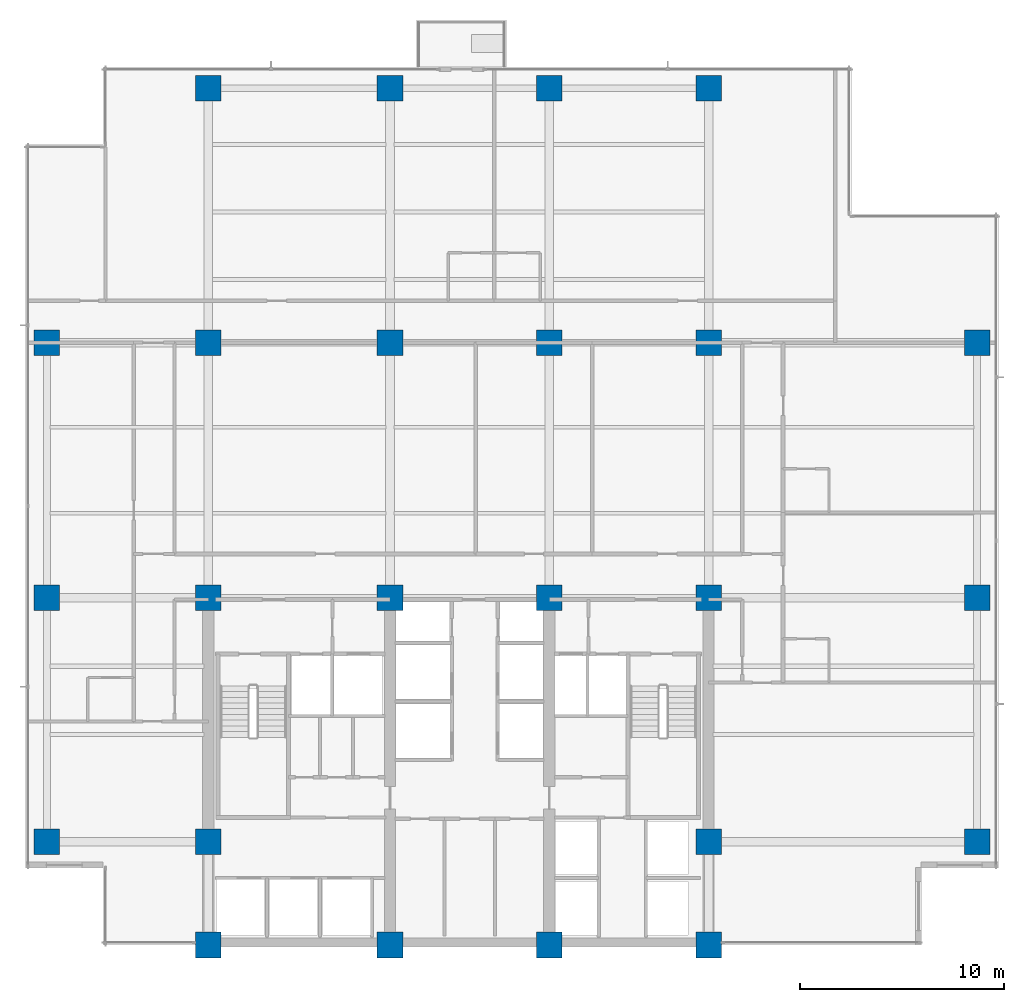
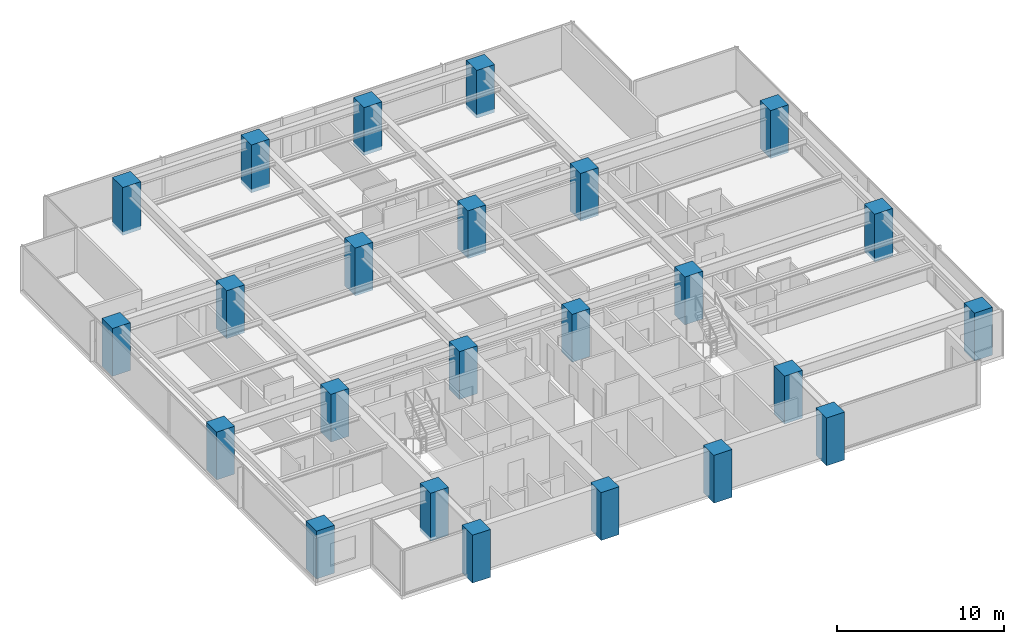
# One storey, part 1 of 16: 24 columns.
"""IFC4 building model written with IfcOpenShell, lengths in metres."""

from ifc_helpers import new_model, si_unit, direction, frame, origin, origin_2d, place, context, subcontext, project, spatial, rectangle, extrude, material, material_profile, profile_set, type_object, element, save


model = new_model("IFC4")

# Units and contexts
model_context = context("Model", 3, precision=1e-05, world=origin(), true_north=direction((0.0, 1.0)))
body_context = subcontext(model_context, "Body", "Model", "MODEL_VIEW")
ifc_project = project(units=[si_unit("LENGTHUNIT", "METRE"), si_unit("AREAUNIT", "SQUARE_METRE"), si_unit("VOLUMEUNIT", "CUBIC_METRE"), si_unit("PLANEANGLEUNIT", "RADIAN"), si_unit("MASSUNIT", "GRAM", prefix="KILO")], contexts=[model_context])

# Site, building, storey
site_placement = place(None, origin())
site = spatial("IfcSite", under=ifc_project, at=site_placement, CompositionType="ELEMENT")
building_placement = place(site_placement, origin())
building = spatial("IfcBuilding", under=site, at=building_placement, Name="Qalmaran Belvedere Hotel", CompositionType="ELEMENT")
storey_placement = place(building_placement, frame((0.0, 0.0, 123.199951171875)))
storey = spatial("IfcBuildingStorey", under=building, at=storey_placement, Name="L31", CompositionType="ELEMENT", Elevation=123.199951171875)

# Columns
ifc_material = material(Name="Concrete C60/75", Category="concrete")
ifc_material_profile = material_profile(ifc_material, rectangle(XDim=1.25, YDim=1.25, at=origin_2d()), Name="CC1250X1250")
ifc_profile_set = profile_set([ifc_material_profile], Name="Concrete C60/75")
column_type = type_object("IfcColumnType", Name="COL-Z2-CC1250", PredefinedType="COLUMN", material=ifc_profile_set)
for number, where, z_axis, x_axis, name in (
    (1, (20.300048828125, 3.5, -0.260009765625), (0.0, 0.0, 1.0), (1.0, 0.0, 0.0), "L31 Column C4B"),
    (2, (29.199951171875, 3.5, -0.260009765625), (0.0, 0.0, 1.0), (1.0, 0.0, 0.0), "L31 Column C5B"),
    (3, (37.0, 3.5, -0.260009765625), (0.0, 0.0, 1.0), (1.0, 0.0, 0.0), "L31 Column C6B"),
    (4, (44.800048828125, 3.5, -0.260009765625), (0.0, 0.0, 1.0), (1.0, 0.0, 0.0), "L31 Column C7B"),
    (5, (20.300048828125, 8.550048828125, -0.260009765625), (0.0, 0.0, 1.0), (1.0, 0.0, 0.0), "L31 Column C4C"),
    (6, (44.800048828125, 8.550048828125, -0.260009765625), (0.0, 0.0, 1.0), (1.0, 0.0, 0.0), "L31 Column C7C"),
    (7, (20.300048828125, 20.5, -0.260009765625), (0.0, 0.0, 1.0), (1.0, 0.0, 0.0), "L31 Column C4D"),
    (8, (29.199951171875, 20.5, -0.260009765625), (0.0, 0.0, 1.0), (1.0, 0.0, 0.0), "L31 Column C5D"),
    (9, (37.0, 20.5, -0.260009765625), (0.0, 0.0, 1.0), (1.0, 0.0, 0.0), "L31 Column C6D"),
    (10, (44.800048828125, 20.5, -0.260009765625), (0.0, 0.0, 1.0), (1.0, 0.0, 0.0), "L31 Column C7D"),
    (11, (20.300048828125, 33.0, -0.260009765625), (0.0, 0.0, 1.0), (1.0, 0.0, 0.0), "L31 Column C4F"),
    (12, (29.199951171875, 33.0, -0.260009765625), (0.0, 0.0, 1.0), (1.0, 0.0, 0.0), "L31 Column C5F"),
    (13, (37.0, 33.0, -0.260009765625), (0.0, 0.0, 1.0), (1.0, 0.0, 0.0), "L31 Column C6F"),
    (14, (44.800048828125, 33.0, -0.260009765625), (0.0, 0.0, 1.0), (1.0, 0.0, 0.0), "L31 Column C7F"),
    (15, (12.39990234375, 8.550048828125, -0.260009765625), (0.0, 0.0, 1.0), (1.0, 0.0, 0.0), "L31 Column CW1"),
    (16, (12.39990234375, 20.5, -0.260009765625), (0.0, 0.0, 1.0), (1.0, 0.0, 0.0), "L31 Column CW3"),
    (17, (12.39990234375, 33.0, -0.260009765625), (0.0, 0.0, 1.0), (1.0, 0.0, 0.0), "L31 Column CW4"),
    (18, (57.949951171875, 8.550048828125, -0.260009765625), (0.0, 0.0, 1.0), (1.0, 0.0, 0.0), "L31 Column CE1"),
    (19, (57.949951171875, 20.5, -0.260009765625), (0.0, 0.0, 1.0), (1.0, 0.0, 0.0), "L31 Column CE3"),
    (20, (57.949951171875, 33.0, -0.260009765625), (0.0, 0.0, 1.0), (1.0, 0.0, 0.0), "L31 Column CE4"),
    (21, (20.300048828125, 45.449951171875, -0.260009765625), (0.0, 0.0, 1.0), (1.0, 0.0, 0.0), "L31 Column CN1"),
    (22, (29.199951171875, 45.449951171875, -0.260009765625), (0.0, 0.0, 1.0), (1.0, 0.0, 0.0), "L31 Column CN2"),
    (23, (37.0, 45.449951171875, -0.260009765625), (0.0, 0.0, 1.0), (1.0, 0.0, 0.0), "L31 Column CN3"),
    (24, (44.800048828125, 45.449951171875, -0.260009765625), (0.0, 0.0, 1.0), (1.0, 0.0, 0.0), "L31 Column CN4"),
):
    element("IfcColumn", number, at=place(storey_placement, frame(where, z_axis=z_axis, x_axis=x_axis)), inside=storey, type_object=column_type, Name=name, PredefinedType="COLUMN", context=body_context, shape_type="SweptSolid", body=[
        extrude(rectangle(XDim=1.25, YDim=1.25, at=origin_2d()), origin(), (0.0, 0.0, 1.0), 3.5),
    ])

save(model, "model.ifc")
